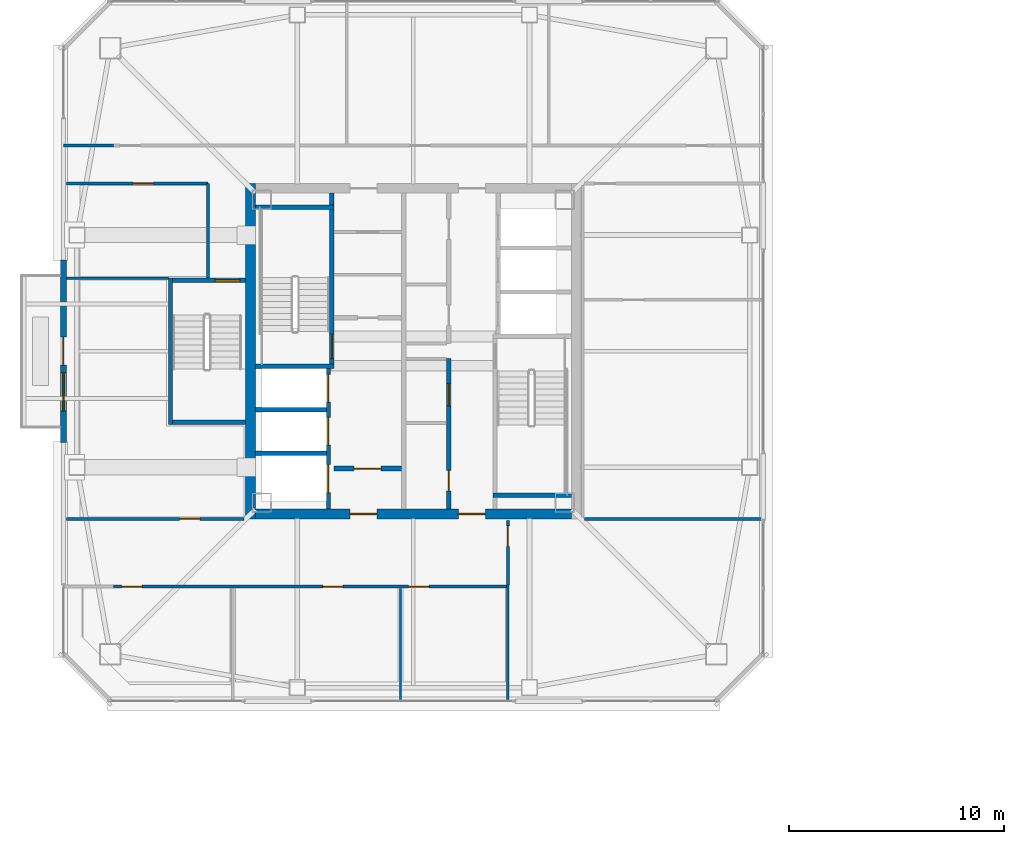
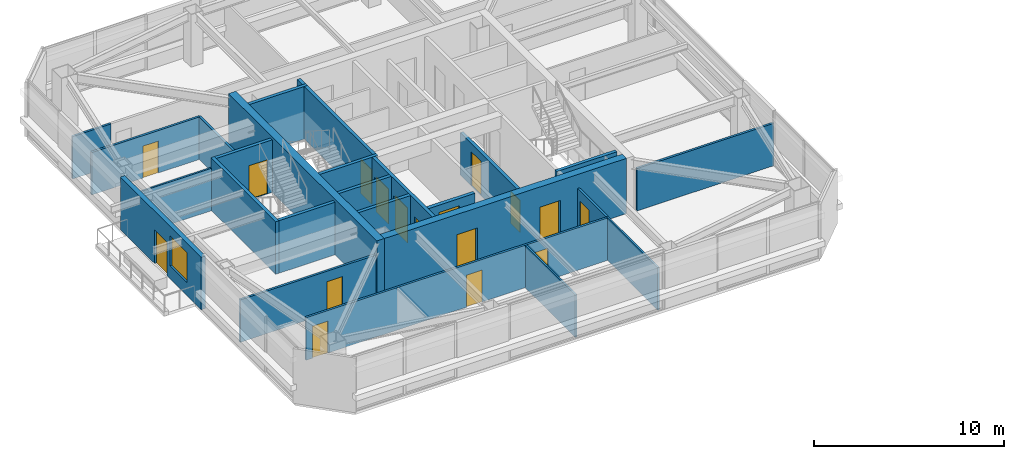
# One storey, part 29 of 39: 25 walls, 17 doors, 1 window, 18 openings.
"""IFC4 building model written with IfcOpenShell, lengths in metres."""

from ifc_helpers import new_model, si_unit, direction, frame, frame_2d, origin, place, context, subcontext, project, spatial, rectangle, extrude, material, layer, layer_set, type_object, element, fill, save


model = new_model("IFC4")

# Units and contexts
model_context = context("Model", 3, precision=1e-05, world=origin(), true_north=direction((0.0, 1.0)))
body_context = subcontext(model_context, "Body", "Model", "MODEL_VIEW")
ifc_project = project(units=[si_unit("LENGTHUNIT", "METRE"), si_unit("AREAUNIT", "SQUARE_METRE"), si_unit("VOLUMEUNIT", "CUBIC_METRE"), si_unit("PLANEANGLEUNIT", "RADIAN"), si_unit("MASSUNIT", "GRAM", prefix="KILO")], contexts=[model_context])

# Site, building, storey
site_placement = place(None, origin())
site = spatial("IfcSite", under=ifc_project, at=site_placement, CompositionType="ELEMENT")
building_placement = place(site_placement, origin())
building = spatial("IfcBuilding", under=site, at=building_placement, Name="Tashvorn Skyway Center", CompositionType="ELEMENT")
storey_placement = place(building_placement, frame((0.0, 0.0, 214.85009765625)))
storey = spatial("IfcBuildingStorey", under=building, at=storey_placement, Name="L58", CompositionType="ELEMENT", Elevation=214.85009765625)

# Wall
ifc_material_1 = material(Name="Concrete C50/60", Category="concrete")
ifc_layer_1 = layer(ifc_material_1, 0.449951171875)
ifc_layer_set_1 = layer_set([ifc_layer_1], Name="Concrete C50/60")
wall_type_1 = type_object("IfcWallType", Name="WALL-CORE-450", PredefinedType="SHEAR", material=ifc_layer_set_1)
wall_1_placement = place(storey_placement, frame((34.425048828125, 24.199951171875, 0.0), z_axis=(0.0, 0.0, 1.0), x_axis=(0.0, 1.0, 0.0)))
element("IfcWall", 1, at=wall_1_placement, inside=storey, type_object=wall_type_1, Name="Tower 1 L58 West Core Shear Wall", PredefinedType="SHEAR", context=body_context, shape_type="SweptSolid", body=[
    extrude(rectangle(XDim=15.60009765625, YDim=0.449951171875, at=frame_2d((7.800048828125, 0.0))), origin(), (0.0, 0.0, 1.0), 3.5498046875),
])

# Wall, openings, doors
wall_2_placement = place(storey_placement, frame((49.35009765625, 24.425048828125, 0.0), z_axis=(0.0, 0.0, 1.0), x_axis=(-1.0, 0.0, 0.0)))
wall_2 = element("IfcWall", 2, at=wall_2_placement, inside=storey, type_object=wall_type_1, Name="Tower 1 L58 South Core Shear Wall", PredefinedType="SHEAR", context=body_context, shape_type="SweptSolid", body=[
    extrude(rectangle(XDim=14.7001953125, YDim=0.449951171875, at=frame_2d((7.35009765625, 0.0))), origin(), (0.0, 0.0, 1.0), 3.5498046875),
])
opening_1_placement = place(wall_2_placement, frame((9.050048828125, 0.0, 0.0)))
opening_1 = element("IfcOpeningElement", 3, at=opening_1_placement, cuts=wall_2, Name="Opening D-FFL-1250", PredefinedType="OPENING", context=body_context, shape_type="SweptSolid", body=[
    extrude(rectangle(XDim=1.25, YDim=2.25, at=frame_2d((0.625, 1.125))), frame((0.0, 0.23486328125, 0.0), z_axis=(0.0, -1.0, 0.0), x_axis=(1.0, 0.0, 0.0)), (0.0, 0.0, 1.0), 0.469970703125),
])
opening_2_placement = place(wall_2_placement, frame((4.0, 0.0, 0.0)))
opening_2 = element("IfcOpeningElement", 4, at=opening_2_placement, cuts=wall_2, Name="Opening D-FFL-1250", PredefinedType="OPENING", context=body_context, shape_type="SweptSolid", body=[
    extrude(rectangle(XDim=1.25, YDim=2.25, at=frame_2d((0.625, 1.125))), frame((0.0, 0.23486328125, 0.0), z_axis=(0.0, -1.0, 0.0), x_axis=(1.0, 0.0, 0.0)), (0.0, 0.0, 1.0), 0.469970703125),
])
ifc_material_2 = material(Name="Hollow galvanized steel fire door assembly", Category="steel")
door_type_1 = type_object("IfcDoorType", Name="DOOR-FFL-1250", OperationType="NOTDEFINED", PredefinedType="DOOR", material=ifc_material_2)
door_1_placement = place(opening_1_placement, origin())
door_1 = element("IfcDoor", 5, at=door_1_placement, inside=storey, type_object=door_type_1, Name="Tower 1 L58 Core South Firefighting Exit Door", OperationType="SINGLE_SWING_LEFT", OverallHeight=2.25, OverallWidth=1.25, PredefinedType="DOOR", context=body_context, shape_type="SweptSolid", body=[
    extrude(rectangle(XDim=1.25, YDim=2.25, at=frame_2d((0.625, 1.125))), frame((0.0, 0.02490234375, 0.0), z_axis=(0.0, -1.0, 0.0), x_axis=(1.0, 0.0, 0.0)), (0.0, 0.0, 1.0), 0.050048828125),
])
fill(opening_1, door_1)
door_2_placement = place(opening_2_placement, origin())
door_2 = element("IfcDoor", 6, at=door_2_placement, inside=storey, type_object=door_type_1, Name="Tower 1 L58 Core South Lift Lobby Door", OperationType="SINGLE_SWING_RIGHT", OverallHeight=2.25, OverallWidth=1.25, PredefinedType="DOOR", context=body_context, shape_type="SweptSolid", body=[
    extrude(rectangle(XDim=1.25, YDim=2.25, at=frame_2d((0.625, 1.125))), frame((0.0, 0.02490234375, 0.0), z_axis=(0.0, -1.0, 0.0), x_axis=(1.0, 0.0, 0.0)), (0.0, 0.0, 1.0), 0.050048828125),
])
fill(opening_2, door_2)

# Wall, openings, door, window
ifc_material_3 = material(Name="Precast concrete C40/50", Category="concrete")
ifc_layer_2 = layer(ifc_material_3, 0.280029296875)
ifc_layer_set_2 = layer_set([ifc_layer_2], Name="Precast concrete C40/50")
wall_type_2 = type_object("IfcWallType", Name="WALL-EXT-280", PredefinedType="SOLIDWALL", material=ifc_layer_set_2)
wall_3_placement = place(storey_placement, frame((25.719970703125, 27.75, 0.0), z_axis=(0.0, 0.0, 1.0), x_axis=(0.0, 1.0, 0.0)))
wall_3 = element("IfcWall", 7, at=wall_3_placement, inside=storey, type_object=wall_type_2, Name="Tower 1 L58 West Terrace Portal Wall", PredefinedType="SOLIDWALL", context=body_context, shape_type="SweptSolid", body=[
    extrude(rectangle(XDim=8.5, YDim=0.280029296875, at=frame_2d((4.25, 0.0))), origin(), (0.0, 0.0, 1.0), 3.369873046875),
])
opening_3_placement = place(wall_3_placement, frame((3.60009765625, 0.0, 0.0)))
opening_3 = element("IfcOpeningElement", 8, at=opening_3_placement, cuts=wall_3, Name="Opening D-TER-1300", PredefinedType="OPENING", context=body_context, shape_type="SweptSolid", body=[
    extrude(rectangle(XDim=1.300048828125, YDim=2.14990234375, at=frame_2d((0.64990234375, 1.074951171875))), frame((0.0, 0.14990234375, 0.0), z_axis=(0.0, -1.0, 0.0), x_axis=(1.0, 0.0, 0.0)), (0.0, 0.0, 1.0), 0.300048828125),
])
opening_4_placement = place(wall_3_placement, frame((1.4599609375, 0.0, 0.85009765625)))
opening_4 = element("IfcOpeningElement", 9, at=opening_4_placement, cuts=wall_3, Name="Opening WIN-1800", PredefinedType="OPENING", context=body_context, shape_type="SweptSolid", body=[
    extrude(rectangle(XDim=1.800048828125, YDim=1.919921875, at=frame_2d((0.89990234375, 0.9599609375))), frame((0.0, 0.14990234375, 0.0), z_axis=(0.0, -1.0, 0.0), x_axis=(1.0, 0.0, 0.0)), (0.0, 0.0, 1.0), 0.300048828125),
])
ifc_material_4 = material(Name="Thermally broken bronze-anodized aluminium 6063-T6", Category="aluminium")
door_type_2 = type_object("IfcDoorType", Name="DOOR-TERR-1300", OperationType="NOTDEFINED", PredefinedType="DOOR", material=ifc_material_4)
door_3_placement = place(opening_3_placement, origin())
door_3 = element("IfcDoor", 10, at=door_3_placement, inside=storey, type_object=door_type_2, Name="Tower 1 L58 Terrace Access Door", OperationType="SINGLE_SWING_RIGHT", OverallHeight=2.14990234375, OverallWidth=1.300048828125, PredefinedType="DOOR", context=body_context, shape_type="SweptSolid", body=[
    extrude(rectangle(XDim=1.300048828125, YDim=2.14990234375, at=frame_2d((0.64990234375, 1.074951171875))), frame((0.0, 0.02490234375, 0.0), z_axis=(0.0, -1.0, 0.0), x_axis=(1.0, 0.0, 0.0)), (0.0, 0.0, 1.0), 0.050048828125),
])
fill(opening_3, door_3)
ifc_material_5 = material(Name="Low-E solar-control double insulating safety glass", Category="glass")
window_type = type_object("IfcWindowType", Name="WIN-TERR-1800", PartitioningType="SINGLE_PANEL", PredefinedType="WINDOW", material=ifc_material_5)
window_placement = place(opening_4_placement, origin())
window = element("IfcWindow", 11, at=window_placement, inside=storey, type_object=window_type, Name="Tower 1 L58 Terrace Window", OverallHeight=1.919921875, OverallWidth=1.800048828125, PartitioningType="SINGLE_PANEL", PredefinedType="WINDOW", context=body_context, shape_type="SweptSolid", body=[
    extrude(rectangle(XDim=1.800048828125, YDim=1.919921875, at=frame_2d((0.89990234375, 0.9599609375))), frame((0.0, 0.030029296875, 0.0), z_axis=(0.0, -1.0, 0.0), x_axis=(1.0, 0.0, 0.0)), (0.0, 0.0, 1.0), 0.06005859375),
])
fill(opening_4, window)

# Wall, opening, door
ifc_material_6 = material(Name="Concrete C40/50", Category="concrete")
ifc_layer_3 = layer(ifc_material_6, 0.219970703125)
ifc_layer_set_3 = layer_set([ifc_layer_3], Name="Concrete C40/50")
wall_type_3 = type_object("IfcWallType", Name="WALL-FFL-220", PredefinedType="SOLIDWALL", material=ifc_layer_set_3)
wall_4_placement = place(storey_placement, frame((38.300048828125, 26.5400390625, 0.0), z_axis=(0.0, 0.0, 1.0), x_axis=(1.0, 0.0, 0.0)))
wall_4 = element("IfcWall", 12, at=wall_4_placement, inside=storey, type_object=wall_type_3, Name="Tower 1 L58 Firefighting Lobby South Wall", PredefinedType="SOLIDWALL", context=body_context, shape_type="SweptSolid", body=[
    extrude(rectangle(XDim=3.14990234375, YDim=0.219970703125, at=frame_2d((1.574951171875, 0.0))), origin(), (0.0, 0.0, 1.0), 2.722900390625),
])
opening_5_placement = place(wall_4_placement, frame((0.949951171875, 0.0, 0.0)))
opening_5 = element("IfcOpeningElement", 13, at=opening_5_placement, cuts=wall_4, Name="Opening D-FFL-1250", PredefinedType="OPENING", context=body_context, shape_type="SweptSolid", body=[
    extrude(rectangle(XDim=1.25, YDim=2.25, at=frame_2d((0.625, 1.125))), frame((0.0, 0.119873046875, 0.0), z_axis=(0.0, -1.0, 0.0), x_axis=(1.0, 0.0, 0.0)), (0.0, 0.0, 1.0), 0.239990234375),
])
door_4_placement = place(opening_5_placement, origin())
door_4 = element("IfcDoor", 14, at=door_4_placement, inside=storey, type_object=door_type_1, Name="Tower 1 L58 Firefighting Lobby Egress Door", OperationType="SINGLE_SWING_LEFT", OverallHeight=2.25, OverallWidth=1.25, PredefinedType="DOOR", context=body_context, shape_type="SweptSolid", body=[
    extrude(rectangle(XDim=1.25, YDim=2.25, at=frame_2d((0.625, 1.125))), frame((0.0, 0.02490234375, 0.0), z_axis=(0.0, -1.0, 0.0), x_axis=(1.0, 0.0, 0.0)), (0.0, 0.0, 1.0), 0.050048828125),
])
fill(opening_5, door_4)

# Walls
ifc_material_7 = material(Name="Gypsum board on cold-formed steel stud framing", Category="steel")
ifc_layer_4 = layer(ifc_material_7, 0.110107421875)
ifc_layer_set_4 = layer_set([ifc_layer_4], Name="Gypsum board on cold-formed steel stud framing")
wall_type_4 = type_object("IfcWallType", Name="WALL-PART-110", PredefinedType="PARTITIONING", material=ifc_layer_set_4)
wall_5_placement = place(storey_placement, frame((41.39990234375, 15.719970703125, 0.0), z_axis=(0.0, 0.0, 1.0), x_axis=(0.0, 1.0, 0.0)))
element("IfcWall", 15, at=wall_5_placement, inside=storey, type_object=wall_type_4, Name="Tower 1 L58 South Suite Partition 2", PredefinedType="PARTITIONING", context=body_context, shape_type="SweptSolid", body=[
    extrude(rectangle(XDim=5.25, YDim=0.110107421875, at=frame_2d((2.625, 0.0))), origin(), (0.0, 0.0, 1.0), 2.722900390625),
])
wall_6_placement = place(storey_placement, frame((46.39990234375, 15.719970703125, 0.0), z_axis=(0.0, 0.0, 1.0), x_axis=(0.0, 1.0, 0.0)))
element("IfcWall", 16, at=wall_6_placement, inside=storey, type_object=wall_type_4, Name="Tower 1 L58 South-East Suite Wall", PredefinedType="PARTITIONING", context=body_context, shape_type="SweptSolid", body=[
    extrude(rectangle(XDim=5.409912109375, YDim=0.110107421875, at=frame_2d((2.705078125, 0.0))), origin(), (0.0, 0.0, 1.0), 2.722900390625),
])
wall_7_placement = place(storey_placement, frame((30.60009765625, 35.39990234375, 0.0), z_axis=(0.0, 0.0, 1.0), x_axis=(-1.0, 0.0, 0.0)))
element("IfcWall", 17, at=wall_7_placement, inside=storey, type_object=wall_type_4, Name="Tower 1 L58 West Suite Partition 1", PredefinedType="PARTITIONING", context=body_context, shape_type="SweptSolid", body=[
    extrude(rectangle(XDim=4.72998046875, YDim=0.110107421875, at=frame_2d((2.364990234375, 0.0))), origin(), (0.0, 0.0, 1.0), 2.722900390625),
])
ifc_layer_5 = layer(ifc_material_7, 0.135009765625)
ifc_layer_set_5 = layer_set([ifc_layer_5], Name="Gypsum board on cold-formed steel stud framing")
wall_type_5 = type_object("IfcWallType", Name="WALL-PART-135", PredefinedType="PARTITIONING", material=ifc_layer_set_5)
wall_8_placement = place(storey_placement, frame((32.449951171875, 35.39990234375, 0.0), z_axis=(0.0, 0.0, 1.0), x_axis=(0.0, 1.0, 0.0)))
element("IfcWall", 18, at=wall_8_placement, inside=storey, type_object=wall_type_5, Name="Tower 1 L58 Stair 3 Access Corridor Wall", PredefinedType="PARTITIONING", context=body_context, shape_type="SweptSolid", body=[
    extrude(rectangle(XDim=4.400146484375, YDim=0.135009765625, at=frame_2d((2.2001953125, 0.0))), origin(), (0.0, 0.0, 1.0), 2.722900390625),
])
wall_9_placement = place(storey_placement, frame((25.719970703125, 41.570068359375, 0.0), z_axis=(0.0, 0.0, 1.0), x_axis=(1.0, 0.0, 0.0)))
element("IfcWall", 19, at=wall_9_placement, inside=storey, type_object=wall_type_5, Name="Tower 1 L58 North-West Suite South Wall", PredefinedType="PARTITIONING", context=body_context, shape_type="SweptSolid", body=[
    extrude(rectangle(XDim=2.330078125, YDim=0.135009765625, at=frame_2d((1.1650390625, 0.0))), origin(), (0.0, 0.0, 1.0), 2.722900390625),
])

# Wall, openings, doors
wall_10_placement = place(storey_placement, frame((46.39990234375, 21.050048828125, 0.0), z_axis=(0.0, 0.0, 1.0), x_axis=(-1.0, 0.0, 0.0)))
wall_10 = element("IfcWall", 20, at=wall_10_placement, inside=storey, type_object=wall_type_5, Name="Tower 1 L58 South Suite Wall", PredefinedType="PARTITIONING", context=body_context, shape_type="SweptSolid", body=[
    extrude(rectangle(XDim=18.349853515625, YDim=0.135009765625, at=frame_2d((9.1748046875, 0.0))), origin(), (0.0, 0.0, 1.0), 2.722900390625),
])
opening_6_placement = place(wall_10_placement, frame((17.02001953125, 0.0, 0.0)))
opening_6 = element("IfcOpeningElement", 21, at=opening_6_placement, cuts=wall_10, Name="Opening D-INT-950", PredefinedType="OPENING", context=body_context, shape_type="SweptSolid", body=[
    extrude(rectangle(XDim=0.949951171875, YDim=2.050048828125, at=frame_2d((0.47509765625, 1.02490234375))), frame((0.0, 0.077392578125, 0.0), z_axis=(0.0, -1.0, 0.0), x_axis=(1.0, 0.0, 0.0)), (0.0, 0.0, 1.0), 0.155029296875),
])
opening_7_placement = place(wall_10_placement, frame((7.663818359375, 0.0, 0.0)))
opening_7 = element("IfcOpeningElement", 22, at=opening_7_placement, cuts=wall_10, Name="Opening D-INT-950", PredefinedType="OPENING", context=body_context, shape_type="SweptSolid", body=[
    extrude(rectangle(XDim=0.949951171875, YDim=2.050048828125, at=frame_2d((0.47509765625, 1.02490234375))), frame((0.0, 0.077392578125, 0.0), z_axis=(0.0, -1.0, 0.0), x_axis=(1.0, 0.0, 0.0)), (0.0, 0.0, 1.0), 0.155029296875),
])
opening_8_placement = place(wall_10_placement, frame((3.669921875, 0.0, 0.0)))
opening_8 = element("IfcOpeningElement", 23, at=opening_8_placement, cuts=wall_10, Name="Opening D-INT-950", PredefinedType="OPENING", context=body_context, shape_type="SweptSolid", body=[
    extrude(rectangle(XDim=0.949951171875, YDim=2.050048828125, at=frame_2d((0.47509765625, 1.02490234375))), frame((0.0, 0.077392578125, 0.0), z_axis=(0.0, -1.0, 0.0), x_axis=(1.0, 0.0, 0.0)), (0.0, 0.0, 1.0), 0.155029296875),
])
ifc_material_8 = material(Name="Solid-core architectural oak veneer door")
door_type_3 = type_object("IfcDoorType", Name="DOOR-INT-950", OperationType="NOTDEFINED", PredefinedType="DOOR", material=ifc_material_8)
door_5_placement = place(opening_6_placement, origin())
door_5 = element("IfcDoor", 24, at=door_5_placement, inside=storey, type_object=door_type_3, Name="Tower 1 L58 Operations Control Room Door", OperationType="SINGLE_SWING_RIGHT", OverallHeight=2.050048828125, OverallWidth=0.949951171875, PredefinedType="DOOR", context=body_context, shape_type="SweptSolid", body=[
    extrude(rectangle(XDim=0.949951171875, YDim=2.050048828125, at=frame_2d((0.47509765625, 1.02490234375))), frame((0.0, 0.02490234375, 0.0), z_axis=(0.0, -1.0, 0.0), x_axis=(1.0, 0.0, 0.0)), (0.0, 0.0, 1.0), 0.050048828125),
])
fill(opening_6, door_5)
door_6_placement = place(opening_7_placement, origin())
door_6 = element("IfcDoor", 25, at=door_6_placement, inside=storey, type_object=door_type_3, Name="Tower 1 L58 Corporate Office Door", OperationType="SINGLE_SWING_LEFT", OverallHeight=2.050048828125, OverallWidth=0.949951171875, PredefinedType="DOOR", context=body_context, shape_type="SweptSolid", body=[
    extrude(rectangle(XDim=0.949951171875, YDim=2.050048828125, at=frame_2d((0.47509765625, 1.02490234375))), frame((0.0, 0.02490234375, 0.0), z_axis=(0.0, -1.0, 0.0), x_axis=(1.0, 0.0, 0.0)), (0.0, 0.0, 1.0), 0.050048828125),
])
fill(opening_7, door_6)
door_7_placement = place(opening_8_placement, origin())
door_7 = element("IfcDoor", 26, at=door_7_placement, inside=storey, type_object=door_type_3, Name="Tower 1 L58 Corporate Office Door", OperationType="SINGLE_SWING_RIGHT", OverallHeight=2.050048828125, OverallWidth=0.949951171875, PredefinedType="DOOR", context=body_context, shape_type="SweptSolid", body=[
    extrude(rectangle(XDim=0.949951171875, YDim=2.050048828125, at=frame_2d((0.47509765625, 1.02490234375))), frame((0.0, 0.02490234375, 0.0), z_axis=(0.0, -1.0, 0.0), x_axis=(1.0, 0.0, 0.0)), (0.0, 0.0, 1.0), 0.050048828125),
])
fill(opening_8, door_7)

# Wall, opening, door
wall_11_placement = place(storey_placement, frame((46.39990234375, 24.1201171875, 0.0), z_axis=(0.0, 0.0, 1.0), x_axis=(0.0, -1.0, 0.0)))
wall_11 = element("IfcWall", 27, at=wall_11_placement, inside=storey, type_object=wall_type_5, Name="Tower 1 L58 South Gallery End Wall", PredefinedType="PARTITIONING", context=body_context, shape_type="SweptSolid", body=[
    extrude(rectangle(XDim=2.990234375, YDim=0.135009765625, at=frame_2d((1.4951171875, 0.0))), origin(), (0.0, 0.0, 1.0), 2.722900390625),
])
opening_9_placement = place(wall_11_placement, frame((0.25, 0.0, 0.0)))
opening_9 = element("IfcOpeningElement", 28, at=opening_9_placement, cuts=wall_11, Name="Opening D-INT-950", PredefinedType="OPENING", context=body_context, shape_type="SweptSolid", body=[
    extrude(rectangle(XDim=0.949951171875, YDim=2.050048828125, at=frame_2d((0.47509765625, 1.02490234375))), frame((0.0, 0.077392578125, 0.0), z_axis=(0.0, -1.0, 0.0), x_axis=(1.0, 0.0, 0.0)), (0.0, 0.0, 1.0), 0.155029296875),
])
door_8_placement = place(opening_9_placement, origin())
door_8 = element("IfcDoor", 29, at=door_8_placement, inside=storey, type_object=door_type_3, Name="Tower 1 L58 Wellness Clinic Door", OperationType="SINGLE_SWING_LEFT", OverallHeight=2.050048828125, OverallWidth=0.949951171875, PredefinedType="DOOR", context=body_context, shape_type="SweptSolid", body=[
    extrude(rectangle(XDim=0.949951171875, YDim=2.050048828125, at=frame_2d((0.47509765625, 1.02490234375))), frame((0.0, 0.02490234375, 0.0), z_axis=(0.0, -1.0, 0.0), x_axis=(1.0, 0.0, 0.0)), (0.0, 0.0, 1.0), 0.050048828125),
])
fill(opening_9, door_8)

# Wall
wall_12_placement = place(storey_placement, frame((49.9599609375, 24.199951171875, 0.0), z_axis=(0.0, 0.0, 1.0), x_axis=(1.0, 0.0, 0.0)))
element("IfcWall", 30, at=wall_12_placement, inside=storey, type_object=wall_type_5, Name="Tower 1 L58 East Suite South Wall", PredefinedType="PARTITIONING", context=body_context, shape_type="SweptSolid", body=[
    extrude(rectangle(XDim=8.320068359375, YDim=0.135009765625, at=frame_2d((4.16015625, 0.0))), origin(), (0.0, 0.0, 1.0), 2.722900390625),
])

# Wall, opening, door
wall_13_placement = place(storey_placement, frame((32.449951171875, 39.800048828125, 0.0), z_axis=(0.0, 0.0, 1.0), x_axis=(-1.0, 0.0, 0.0)))
wall_13 = element("IfcWall", 31, at=wall_13_placement, inside=storey, type_object=wall_type_5, Name="Tower 1 L58 West Suite North Wall", PredefinedType="PARTITIONING", context=body_context, shape_type="SweptSolid", body=[
    extrude(rectangle(XDim=6.579833984375, YDim=0.135009765625, at=frame_2d((3.2900390625, 0.0))), origin(), (0.0, 0.0, 1.0), 2.722900390625),
])
opening_10_placement = place(wall_13_placement, frame((2.5400390625, 0.0, 0.0)))
opening_10 = element("IfcOpeningElement", 32, at=opening_10_placement, cuts=wall_13, Name="Opening D-INT-950", PredefinedType="OPENING", context=body_context, shape_type="SweptSolid", body=[
    extrude(rectangle(XDim=0.949951171875, YDim=2.050048828125, at=frame_2d((0.47509765625, 1.02490234375))), frame((0.0, 0.077392578125, 0.0), z_axis=(0.0, -1.0, 0.0), x_axis=(1.0, 0.0, 0.0)), (0.0, 0.0, 1.0), 0.155029296875),
])
door_9_placement = place(opening_10_placement, origin())
door_9 = element("IfcDoor", 33, at=door_9_placement, inside=storey, type_object=door_type_3, Name="Tower 1 L58 Boardroom Door", OperationType="SINGLE_SWING_RIGHT", OverallHeight=2.050048828125, OverallWidth=0.949951171875, PredefinedType="DOOR", context=body_context, shape_type="SweptSolid", body=[
    extrude(rectangle(XDim=0.949951171875, YDim=2.050048828125, at=frame_2d((0.47509765625, 1.02490234375))), frame((0.0, 0.02490234375, 0.0), z_axis=(0.0, -1.0, 0.0), x_axis=(1.0, 0.0, 0.0)), (0.0, 0.0, 1.0), 0.050048828125),
])
fill(opening_10, door_9)

wall_14_placement = place(storey_placement, frame((25.8701171875, 24.199951171875, 0.0), z_axis=(0.0, 0.0, 1.0), x_axis=(1.0, 0.0, 0.0)))
wall_14 = element("IfcWall", 34, at=wall_14_placement, inside=storey, type_object=wall_type_5, Name="Tower 1 L58 West Suite South Wall", PredefinedType="PARTITIONING", context=body_context, shape_type="SweptSolid", body=[
    extrude(rectangle(XDim=8.25, YDim=0.135009765625, at=frame_2d((4.125, 0.0))), origin(), (0.0, 0.0, 1.0), 2.722900390625),
])
opening_11_placement = place(wall_14_placement, frame((5.2548828125, 0.0, 0.0)))
opening_11 = element("IfcOpeningElement", 35, at=opening_11_placement, cuts=wall_14, Name="Opening D-INT-950", PredefinedType="OPENING", context=body_context, shape_type="SweptSolid", body=[
    extrude(rectangle(XDim=0.949951171875, YDim=2.050048828125, at=frame_2d((0.47509765625, 1.02490234375))), frame((0.0, 0.077392578125, 0.0), z_axis=(0.0, -1.0, 0.0), x_axis=(1.0, 0.0, 0.0)), (0.0, 0.0, 1.0), 0.155029296875),
])
door_10_placement = place(opening_11_placement, origin())
door_10 = element("IfcDoor", 36, at=door_10_placement, inside=storey, type_object=door_type_3, Name="Tower 1 L58 Public Restroom Door", OperationType="SINGLE_SWING_LEFT", OverallHeight=2.050048828125, OverallWidth=0.949951171875, PredefinedType="DOOR", context=body_context, shape_type="SweptSolid", body=[
    extrude(rectangle(XDim=0.949951171875, YDim=2.050048828125, at=frame_2d((0.47509765625, 1.02490234375))), frame((0.0, 0.02490234375, 0.0), z_axis=(0.0, -1.0, 0.0), x_axis=(1.0, 0.0, 0.0)), (0.0, 0.0, 1.0), 0.050048828125),
])
fill(opening_11, door_10)

# Walls
ifc_layer_6 = layer(ifc_material_6, 0.199951171875)
ifc_layer_set_6 = layer_set([ifc_layer_6], Name="Concrete C40/50")
wall_type_6 = type_object("IfcWallType", Name="WALL-SHAFT-200", PredefinedType="SOLIDWALL", material=ifc_layer_set_6)
for number, where, z_axis, x_axis, name in (
    (37, (34.64990234375, 27.25, 0.0), (0.0, 0.0, 1.0), (1.0, 0.0, 0.0), "Tower 1 L58 FSAE Shaft Divider"),
    (38, (34.64990234375, 29.280029296875, 0.0), (0.0, 0.0, 1.0), (1.0, 0.0, 0.0), "Tower 1 L58 FSAE Shaft Divider"),
):
    element("IfcWall", number, at=place(storey_placement, frame(where, z_axis=z_axis, x_axis=x_axis)), inside=storey, type_object=wall_type_6, Name=name, PredefinedType="SOLIDWALL", context=body_context, shape_type="SweptSolid", body=[
        extrude(rectangle(XDim=3.300048828125, YDim=0.199951171875, at=frame_2d((1.64990234375, 0.0))), origin(), (0.0, 0.0, 1.0), 3.369873046875),
    ])

# Wall, openings, doors
wall_15_placement = place(storey_placement, frame((43.64990234375, 24.64990234375, 0.0), z_axis=(0.0, 0.0, 1.0), x_axis=(0.0, 1.0, 0.0)))
wall_15 = element("IfcWall", 39, at=wall_15_placement, inside=storey, type_object=wall_type_6, Name="Tower 1 L58 Low-Rise Core Wall", PredefinedType="SOLIDWALL", context=body_context, shape_type="SweptSolid", body=[
    extrude(rectangle(XDim=7.0, YDim=0.199951171875, at=frame_2d((3.5, 0.0))), origin(), (0.0, 0.0, 1.0), 2.722900390625),
])
opening_12_placement = place(wall_15_placement, frame((0.85009765625, 0.0, 0.0)))
opening_12 = element("IfcOpeningElement", 40, at=opening_12_placement, cuts=wall_15, Name="Opening D-RT-950", PredefinedType="OPENING", context=body_context, shape_type="SweptSolid", body=[
    extrude(rectangle(XDim=0.949951171875, YDim=2.050048828125, at=frame_2d((0.47509765625, 1.02490234375))), frame((0.0, 0.10986328125, 0.0), z_axis=(0.0, -1.0, 0.0), x_axis=(1.0, 0.0, 0.0)), (0.0, 0.0, 1.0), 0.219970703125),
])
opening_13_placement = place(wall_15_placement, frame((4.800048828125, 0.0, 0.0)))
opening_13 = element("IfcOpeningElement", 41, at=opening_13_placement, cuts=wall_15, Name="Opening D-RT-1050", PredefinedType="OPENING", context=body_context, shape_type="SweptSolid", body=[
    extrude(rectangle(XDim=1.050048828125, YDim=2.199951171875, at=frame_2d((0.52490234375, 1.10009765625))), frame((0.0, 0.10986328125, 0.0), z_axis=(0.0, -1.0, 0.0), x_axis=(1.0, 0.0, 0.0)), (0.0, 0.0, 1.0), 0.219970703125),
])
door_type_4 = type_object("IfcDoorType", Name="DOOR-RATED-1050", OperationType="NOTDEFINED", PredefinedType="DOOR", material=ifc_material_2)
door_11_placement = place(opening_13_placement, origin())
door_11 = element("IfcDoor", 42, at=door_11_placement, inside=storey, type_object=door_type_4, Name="Tower 1 L58 Freed Core Room Door", OperationType="SINGLE_SWING_RIGHT", OverallHeight=2.199951171875, OverallWidth=1.050048828125, PredefinedType="DOOR", context=body_context, shape_type="SweptSolid", body=[
    extrude(rectangle(XDim=1.050048828125, YDim=2.199951171875, at=frame_2d((0.52490234375, 1.10009765625))), frame((0.0, 0.02490234375, 0.0), z_axis=(0.0, -1.0, 0.0), x_axis=(1.0, 0.0, 0.0)), (0.0, 0.0, 1.0), 0.050048828125),
])
fill(opening_13, door_11)
door_type_5 = type_object("IfcDoorType", Name="DOOR-RATED-950", OperationType="NOTDEFINED", PredefinedType="DOOR", material=ifc_material_2)
door_12_placement = place(opening_12_placement, origin())
door_12 = element("IfcDoor", 43, at=door_12_placement, inside=storey, type_object=door_type_5, Name="Tower 1 L58 Core Print Room Door", OperationType="SINGLE_SWING_LEFT", OverallHeight=2.050048828125, OverallWidth=0.949951171875, PredefinedType="DOOR", context=body_context, shape_type="SweptSolid", body=[
    extrude(rectangle(XDim=0.949951171875, YDim=2.050048828125, at=frame_2d((0.47509765625, 1.02490234375))), frame((0.0, 0.02490234375, 0.0), z_axis=(0.0, -1.0, 0.0), x_axis=(1.0, 0.0, 0.0)), (0.0, 0.0, 1.0), 0.050048828125),
])
fill(opening_12, door_12)

# Wall, opening, door
ifc_layer_7 = layer(ifc_material_6, 0.199951171875)
ifc_layer_set_7 = layer_set([ifc_layer_7], Name="Concrete C40/50")
wall_type_7 = type_object("IfcWallType", Name="WALL-STSHF-200", PredefinedType="SHEAR", material=ifc_layer_set_7)
wall_16_placement = place(storey_placement, frame((38.199951171875, 31.199951171875, 0.0), z_axis=(0.0, 0.0, 1.0), x_axis=(0.0, 1.0, 0.0)))
wall_16 = element("IfcWall", 44, at=wall_16_placement, inside=storey, type_object=wall_type_7, Name="Tower 1 L58 Stair 1 Enclosure Wall", PredefinedType="SHEAR", context=body_context, shape_type="SweptSolid", body=[
    extrude(rectangle(XDim=8.150146484375, YDim=0.199951171875, at=frame_2d((4.0751953125, 0.0))), origin(), (0.0, 0.0, 1.0), 3.369873046875),
])
opening_14_placement = place(wall_16_placement, frame((0.449951171875, 0.0, 0.0)))
opening_14 = element("IfcOpeningElement", 45, at=opening_14_placement, cuts=wall_16, Name="Opening D-ST-1150", PredefinedType="OPENING", context=body_context, shape_type="SweptSolid", body=[
    extrude(rectangle(XDim=1.14990234375, YDim=2.199951171875, at=frame_2d((0.574951171875, 1.10009765625))), frame((0.0, 0.10986328125, 0.0), z_axis=(0.0, -1.0, 0.0), x_axis=(1.0, 0.0, 0.0)), (0.0, 0.0, 1.0), 0.219970703125),
])
door_type_6 = type_object("IfcDoorType", Name="DOOR-STAIR-1150", OperationType="NOTDEFINED", PredefinedType="DOOR", material=ifc_material_2)
door_13_placement = place(opening_14_placement, origin())
door_13 = element("IfcDoor", 46, at=door_13_placement, inside=storey, type_object=door_type_6, Name="Tower 1 L58 Exit Stair 1 Door", OperationType="SINGLE_SWING_RIGHT", OverallHeight=2.199951171875, OverallWidth=1.14990234375, PredefinedType="DOOR", context=body_context, shape_type="SweptSolid", body=[
    extrude(rectangle(XDim=1.14990234375, YDim=2.199951171875, at=frame_2d((0.574951171875, 1.10009765625))), frame((0.0, 0.02490234375, 0.0), z_axis=(0.0, -1.0, 0.0), x_axis=(1.0, 0.0, 0.0)), (0.0, 0.0, 1.0), 0.050048828125),
])
fill(opening_14, door_13)

# Walls
for number, where, z_axis, x_axis, name in (
    (47, (34.64990234375, 31.300048828125, 0.0), (0.0, 0.0, 1.0), (1.0, 0.0, 0.0), "Tower 1 L58 Stair 1 South Wall"),
    (48, (34.64990234375, 38.699951171875, 0.0), (0.0, 0.0, 1.0), (1.0, 0.0, 0.0), "Tower 1 L58 Stair 1 North Wall"),
    (49, (45.699951171875, 25.300048828125, 0.0), (0.0, 0.0, 1.0), (1.0, 0.0, 0.0), "Tower 1 L58 Stair 2 South Wall"),
):
    element("IfcWall", number, at=place(storey_placement, frame(where, z_axis=z_axis, x_axis=x_axis)), inside=storey, type_object=wall_type_7, Name=name, PredefinedType="SHEAR", context=body_context, shape_type="SweptSolid", body=[
        extrude(rectangle(XDim=3.650146484375, YDim=0.199951171875, at=frame_2d((1.8251953125, 0.0))), origin(), (0.0, 0.0, 1.0), 3.369873046875),
    ])

# Wall, openings, doors
wall_17_placement = place(storey_placement, frame((38.050048828125, 24.64990234375, 0.0), z_axis=(0.0, 0.0, 1.0), x_axis=(0.0, 1.0, 0.0)))
wall_17 = element("IfcWall", 50, at=wall_17_placement, inside=storey, type_object=wall_type_7, Name="Tower 1 L58 FSAE and Goods Shaft Front Wall", PredefinedType="SHEAR", context=body_context, shape_type="SweptSolid", body=[
    extrude(rectangle(XDim=6.550048828125, YDim=0.199951171875, at=frame_2d((3.27490234375, 0.0))), origin(), (0.0, 0.0, 1.0), 3.369873046875),
])
opening_15_placement = place(wall_17_placement, frame((4.97509765625, 0.0, 0.0)))
opening_15 = element("IfcOpeningElement", 51, at=opening_15_placement, cuts=wall_17, Name="Opening LD-FF-T1-1-L58", PredefinedType="OPENING", context=body_context, shape_type="SweptSolid", body=[
    extrude(rectangle(XDim=1.300048828125, YDim=2.25, at=frame_2d((0.64990234375, 1.125))), frame((0.0, 0.10986328125, 0.0), z_axis=(0.0, -1.0, 0.0), x_axis=(1.0, 0.0, 0.0)), (0.0, 0.0, 1.0), 0.219970703125),
])
opening_16_placement = place(wall_17_placement, frame((2.97509765625, 0.0, 0.0)))
opening_16 = element("IfcOpeningElement", 52, at=opening_16_placement, cuts=wall_17, Name="Opening LD-FF-T1-2-L58", PredefinedType="OPENING", context=body_context, shape_type="SweptSolid", body=[
    extrude(rectangle(XDim=1.300048828125, YDim=2.25, at=frame_2d((0.64990234375, 1.125))), frame((0.0, 0.10986328125, 0.0), z_axis=(0.0, -1.0, 0.0), x_axis=(1.0, 0.0, 0.0)), (0.0, 0.0, 1.0), 0.219970703125),
])
opening_17_placement = place(wall_17_placement, frame((0.77490234375, 0.0, 0.0)))
opening_17 = element("IfcOpeningElement", 53, at=opening_17_placement, cuts=wall_17, Name="Opening LD-GD-T1-1-L58", PredefinedType="OPENING", context=body_context, shape_type="SweptSolid", body=[
    extrude(rectangle(XDim=1.300048828125, YDim=2.25, at=frame_2d((0.64990234375, 1.125))), frame((0.0, 0.10986328125, 0.0), z_axis=(0.0, -1.0, 0.0), x_axis=(1.0, 0.0, 0.0)), (0.0, 0.0, 1.0), 0.219970703125),
])
ifc_material_9 = material(Name="Stainless steel heavy-duty landing door", Category="steel")
door_type_7 = type_object("IfcDoorType", Name="DOOR-LIFT-1300", OperationType="SLIDING_TO_LEFT", PredefinedType="DOOR", material=ifc_material_9)
door_14_placement = place(opening_15_placement, origin())
door_14 = element("IfcDoor", 54, at=door_14_placement, inside=storey, type_object=door_type_7, Name="Lift FF-T1-1 L58 Landing Door", OperationType="SLIDING_TO_LEFT", OverallHeight=2.25, OverallWidth=1.300048828125, PredefinedType="DOOR", context=body_context, shape_type="SweptSolid", body=[
    extrude(rectangle(XDim=1.300048828125, YDim=2.25, at=frame_2d((0.64990234375, 1.125))), frame((0.0, 0.02490234375, 0.0), z_axis=(0.0, -1.0, 0.0), x_axis=(1.0, 0.0, 0.0)), (0.0, 0.0, 1.0), 0.050048828125),
])
fill(opening_15, door_14)
door_15_placement = place(opening_16_placement, origin())
door_15 = element("IfcDoor", 55, at=door_15_placement, inside=storey, type_object=door_type_7, Name="Lift FF-T1-2 L58 Landing Door", OperationType="SLIDING_TO_LEFT", OverallHeight=2.25, OverallWidth=1.300048828125, PredefinedType="DOOR", context=body_context, shape_type="SweptSolid", body=[
    extrude(rectangle(XDim=1.300048828125, YDim=2.25, at=frame_2d((0.64990234375, 1.125))), frame((0.0, 0.02490234375, 0.0), z_axis=(0.0, -1.0, 0.0), x_axis=(1.0, 0.0, 0.0)), (0.0, 0.0, 1.0), 0.050048828125),
])
fill(opening_16, door_15)
door_16_placement = place(opening_17_placement, origin())
door_16 = element("IfcDoor", 56, at=door_16_placement, inside=storey, type_object=door_type_7, Name="Lift GD-T1-1 L58 Landing Door", OperationType="SLIDING_TO_LEFT", OverallHeight=2.25, OverallWidth=1.300048828125, PredefinedType="DOOR", context=body_context, shape_type="SweptSolid", body=[
    extrude(rectangle(XDim=1.300048828125, YDim=2.25, at=frame_2d((0.64990234375, 1.125))), frame((0.0, 0.02490234375, 0.0), z_axis=(0.0, -1.0, 0.0), x_axis=(1.0, 0.0, 0.0)), (0.0, 0.0, 1.0), 0.050048828125),
])
fill(opening_17, door_16)

# Wall
wall_18_placement = place(storey_placement, frame((30.699951171875, 28.60009765625, 0.0), z_axis=(0.0, 0.0, 1.0), x_axis=(0.0, 1.0, 0.0)))
element("IfcWall", 57, at=wall_18_placement, inside=storey, type_object=wall_type_7, Name="Tower 1 L58 Stair 3 Outer Wall", PredefinedType="SHEAR", context=body_context, shape_type="SweptSolid", body=[
    extrude(rectangle(XDim=6.7998046875, YDim=0.199951171875, at=frame_2d((3.39990234375, 0.0))), origin(), (0.0, 0.0, 1.0), 3.369873046875),
])

# Wall, opening, door
wall_19_placement = place(storey_placement, frame((34.199951171875, 35.300048828125, 0.0), z_axis=(0.0, 0.0, 1.0), x_axis=(-1.0, 0.0, 0.0)))
wall_19 = element("IfcWall", 58, at=wall_19_placement, inside=storey, type_object=wall_type_7, Name="Tower 1 L58 Stair 3 Enclosure Wall", PredefinedType="SHEAR", context=body_context, shape_type="SweptSolid", body=[
    extrude(rectangle(XDim=3.39990234375, YDim=0.199951171875, at=frame_2d((1.699951171875, 0.0))), origin(), (0.0, 0.0, 1.0), 3.369873046875),
])
opening_18_placement = place(wall_19_placement, frame((0.27490234375, 0.0, 0.0)))
opening_18 = element("IfcOpeningElement", 59, at=opening_18_placement, cuts=wall_19, Name="Opening D-ST-1150", PredefinedType="OPENING", context=body_context, shape_type="SweptSolid", body=[
    extrude(rectangle(XDim=1.14990234375, YDim=2.199951171875, at=frame_2d((0.574951171875, 1.10009765625))), frame((0.0, 0.10986328125, 0.0), z_axis=(0.0, -1.0, 0.0), x_axis=(1.0, 0.0, 0.0)), (0.0, 0.0, 1.0), 0.219970703125),
])
door_17_placement = place(opening_18_placement, origin())
door_17 = element("IfcDoor", 60, at=door_17_placement, inside=storey, type_object=door_type_6, Name="Tower 1 L58 Exit Stair 3 Door", OperationType="SINGLE_SWING_RIGHT", OverallHeight=2.199951171875, OverallWidth=1.14990234375, PredefinedType="DOOR", context=body_context, shape_type="SweptSolid", body=[
    extrude(rectangle(XDim=1.14990234375, YDim=2.199951171875, at=frame_2d((0.574951171875, 1.10009765625))), frame((0.0, 0.02490234375, 0.0), z_axis=(0.0, -1.0, 0.0), x_axis=(1.0, 0.0, 0.0)), (0.0, 0.0, 1.0), 0.050048828125),
])
fill(opening_18, door_17)

# Wall
wall_20_placement = place(storey_placement, frame((30.800048828125, 28.699951171875, 0.0), z_axis=(0.0, 0.0, 1.0), x_axis=(1.0, 0.0, 0.0)))
element("IfcWall", 61, at=wall_20_placement, inside=storey, type_object=wall_type_7, Name="Tower 1 L58 Stair 3 South Wall", PredefinedType="SHEAR", context=body_context, shape_type="SweptSolid", body=[
    extrude(rectangle(XDim=3.39990234375, YDim=0.199951171875, at=frame_2d((1.699951171875, 0.0))), origin(), (0.0, 0.0, 1.0), 3.369873046875),
])

save(model, "model.ifc")
